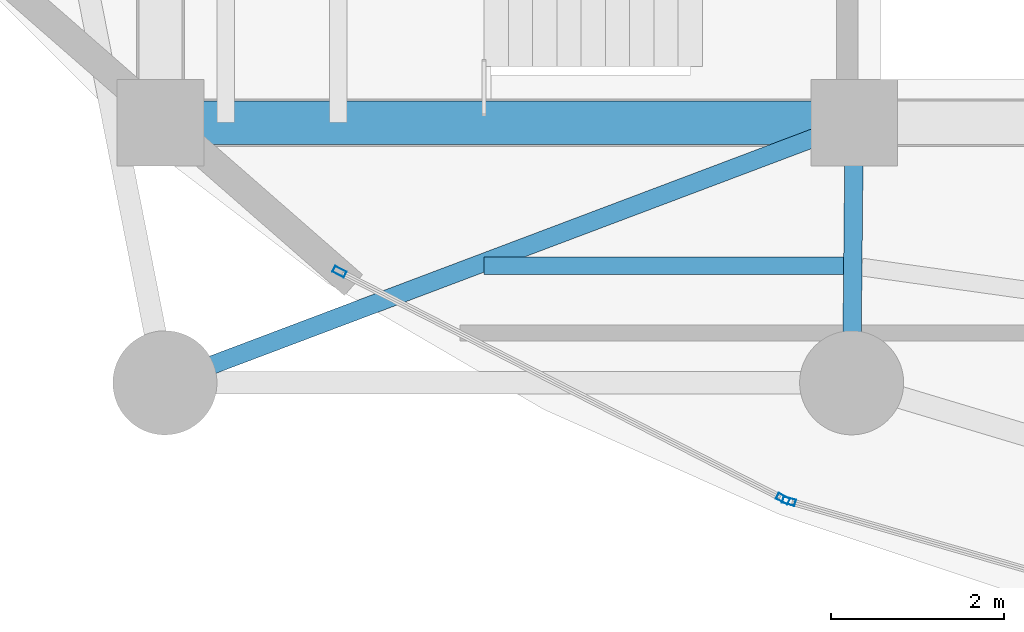
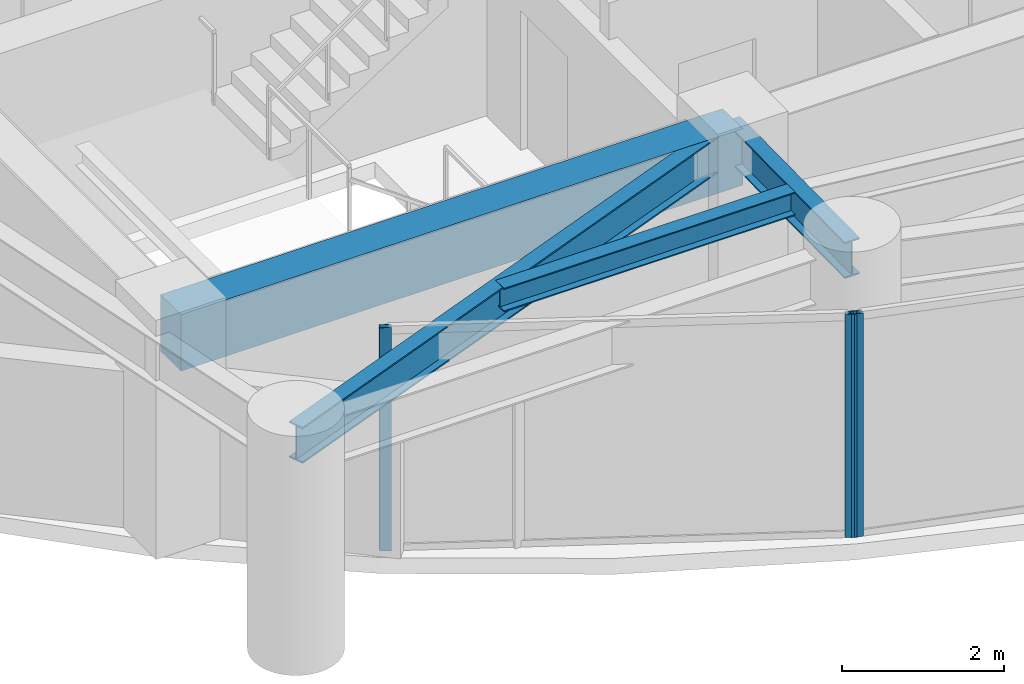
# One storey, part 2 of 31: 4 beams, 3 members, 2 elements without a shape of their own.
"""IFC4 building model written with IfcOpenShell, lengths in metres."""

from ifc_helpers import new_model, si_unit, direction, frame, origin, origin_2d, place, context, subcontext, project, spatial, rectangle, hollow_rectangle, i_section, extrude, material, layer, layer_set, material_profile, profile_set, type_object, element, aggregate, save


model = new_model("IFC4")

# Units and contexts
model_context = context("Model", 3, precision=1e-05, world=origin(), true_north=direction((0.0, 1.0)))
body_context = subcontext(model_context, "Body", "Model", "MODEL_VIEW")
ifc_project = project(units=[si_unit("LENGTHUNIT", "METRE"), si_unit("AREAUNIT", "SQUARE_METRE"), si_unit("VOLUMEUNIT", "CUBIC_METRE"), si_unit("PLANEANGLEUNIT", "RADIAN"), si_unit("MASSUNIT", "GRAM", prefix="KILO")], contexts=[model_context])

# Site, building, storey
site_placement = place(None, origin())
site = spatial("IfcSite", under=ifc_project, at=site_placement, CompositionType="ELEMENT")
building_placement = place(site_placement, origin())
building = spatial("IfcBuilding", under=site, at=building_placement, Name="Kazevale Care Tower and Concert Hall", CompositionType="ELEMENT")
storey_placement = place(building_placement, frame((0.0, 0.0, 117.0)))
storey = spatial("IfcBuildingStorey", under=building, at=storey_placement, Name="L30", CompositionType="ELEMENT", Elevation=117.0)

# Curtain wall, member
ifc_material_1 = material(Name="Aluminium 6063-T6 and Low-E Glass", Category="aluminium")
ifc_layer = layer(ifc_material_1, 0.179931640625)
ifc_layer_set = layer_set([ifc_layer], Name="Aluminium 6063-T6 and Low-E Glass")
curtain_wall_type = type_object("IfcCurtainWallType", Name="Sheltered Concave Balcony Curtain Wall CW-5", PredefinedType="NOTDEFINED", material=ifc_layer_set)
curtain_wall_1_placement = place(storey_placement, origin())
curtain_wall_1 = element("IfcCurtainWall", 1, at=curtain_wall_1_placement, inside=storey, type_object=curtain_wall_type, Name="cw:L30:f08", PredefinedType="NOTDEFINED")
ifc_material_2 = material(Name="Aluminium 6063-T6", Category="aluminium")
ifc_material_profile_1 = material_profile(ifc_material_2, hollow_rectangle(XDim=0.074951171875, YDim=0.14990234375, WallThickness=0.00390625, at=origin_2d()), Name="ALU75x150x4")
ifc_profile_set_1 = profile_set([ifc_material_profile_1], Name="Aluminium 6063-T6")
member_type = type_object("IfcMemberType", Name="CW-5 Mullion ALU75x150x4", PredefinedType="MULLION", material=ifc_profile_set_1)
member_1_placement = place(storey_placement, frame((29.2470703125, 19.234619140625, 0.0), z_axis=(0.0, 0.0, 1.0), x_axis=(-0.276290733172, -0.961074102639, 0.0)))
member_1 = element("IfcMember", 2, at=member_1_placement, type_object=member_type, Name="CW-5 mullion 2", PredefinedType="MULLION", context=body_context, shape_type="SweptSolid", body=[
    extrude(hollow_rectangle(XDim=0.074951171875, YDim=0.14990234375, WallThickness=0.00390625, at=origin_2d()), origin(), (0.0, 0.0, 1.0), 3.360107421875),
])
aggregate(curtain_wall_1, [member_1])

# Curtain wall, members
curtain_wall_2_placement = place(storey_placement, origin())
curtain_wall_2 = element("IfcCurtainWall", 3, at=curtain_wall_2_placement, inside=storey, type_object=curtain_wall_type, Name="cw:L30:f09", PredefinedType="NOTDEFINED")
member_2_placement = place(storey_placement, frame((29.177734375, 19.26220703125, 0.0), z_axis=(0.0, 0.0, 1.0), x_axis=(-0.455713236575, -0.890126646051, 0.0)))
member_2 = element("IfcMember", 4, at=member_2_placement, type_object=member_type, Name="CW-5 mullion 1", PredefinedType="MULLION", context=body_context, shape_type="SweptSolid", body=[
    extrude(hollow_rectangle(XDim=0.074951171875, YDim=0.14990234375, WallThickness=0.00390625, at=origin_2d()), origin(), (0.0, 0.0, 1.0), 3.360107421875),
])
member_3_placement = place(storey_placement, frame((24.0625, 21.880859375, 0.0), z_axis=(0.0, 0.0, 1.0), x_axis=(-0.455713236575, -0.890126646051, 0.0)))
member_3 = element("IfcMember", 5, at=member_3_placement, type_object=member_type, Name="CW-5 mullion 2", PredefinedType="MULLION", context=body_context, shape_type="SweptSolid", body=[
    extrude(hollow_rectangle(XDim=0.074951171875, YDim=0.14990234375, WallThickness=0.00390625, at=origin_2d()), origin(), (0.0, 0.0, 1.0), 3.360107421875),
])
aggregate(curtain_wall_2, [member_2, member_3])

# Beams
ifc_material_3 = material(Name="Concrete C60", Category="concrete")
ifc_material_profile_2 = material_profile(ifc_material_3, rectangle(XDim=0.5, YDim=0.85009765625, at=origin_2d()), Name="RC-B500x850")
ifc_profile_set_2 = profile_set([ifc_material_profile_2], Name="Concrete C60")
beam_type_1 = type_object("IfcBeamType", Name="Core Coupling Beam RC500x850", PredefinedType="LINTEL", material=ifc_profile_set_2)
beam_1_placement = place(storey_placement, frame((22.0, 23.60009765625, 2.93505859375), z_axis=(1.0, 0.0, 0.0), x_axis=(0.0, 1.0, 0.0)))
element("IfcBeam", 6, at=beam_1_placement, inside=storey, type_object=beam_type_1, Name="beam:L30:coretie:1", PredefinedType="LINTEL", context=body_context, shape_type="SweptSolid", body=[
    extrude(rectangle(XDim=0.5, YDim=0.85009765625, at=origin_2d()), origin(), (0.0, 0.0, 1.0), 8.0),
])
ifc_material_4 = material(Name="Steel ASTM A572 Gr 50", Category="steel")
ifc_material_profile_3 = material_profile(ifc_material_4, i_section(OverallWidth=0.2119140625, OverallDepth=0.5439453125, WebThickness=0.01318359375, FlangeThickness=0.021240234375, at=origin_2d()), Name="W530x123")
ifc_profile_set_3 = profile_set([ifc_material_profile_3], Name="Steel ASTM A572 Gr 50")
beam_type_2 = type_object("IfcBeamType", Name="Radial Floor Girder W530x123", PredefinedType="BEAM", material=ifc_profile_set_3)
beam_2_placement = place(storey_placement, frame((30.0, 23.60009765625, 3.087890625), z_axis=(-0.935601002663, -0.353059150592, 0.0), x_axis=(0.353059150592, -0.935601002663, 0.0)))
element("IfcBeam", 7, at=beam_2_placement, inside=storey, type_object=beam_type_2, Name="beam:L30:rad:10", PredefinedType="BEAM", context=body_context, shape_type="SweptSolid", body=[
    extrude(i_section(OverallWidth=0.2119140625, OverallDepth=0.5439453125, WebThickness=0.01318359375, FlangeThickness=0.021240234375, at=origin_2d()), origin(), (0.0, 0.0, 1.0), 8.4970703125),
])
beam_3_placement = place(storey_placement, frame((30.0, 23.60009765625, 3.087890625), z_axis=(-0.010009264196, -0.99994990606, 0.0), x_axis=(0.99994990606, -0.010009264196, 0.0)))
element("IfcBeam", 8, at=beam_3_placement, inside=storey, type_object=beam_type_2, Name="beam:L30:rad:11", PredefinedType="BEAM", context=body_context, shape_type="SweptSolid", body=[
    extrude(i_section(OverallWidth=0.2119140625, OverallDepth=0.5439453125, WebThickness=0.01318359375, FlangeThickness=0.021240234375, at=origin_2d()), origin(), (0.0, 0.0, 1.0), 3.000244140625),
])
ifc_material_profile_4 = material_profile(ifc_material_4, i_section(OverallWidth=0.205078125, OverallDepth=0.35400390625, WebThickness=0.009521484375, FlangeThickness=0.016845703125, at=origin_2d()), Name="W360x79")
ifc_profile_set_4 = profile_set([ifc_material_profile_4], Name="Steel ASTM A572 Gr 50")
beam_type_3 = type_object("IfcBeamType", Name="Secondary Floor Joist W360x79", PredefinedType="JOIST", material=ifc_profile_set_4)
beam_4_placement = place(storey_placement, frame((25.73291015625, 21.949951171875, 3.18310546875), z_axis=(1.0, 0.0, 0.0), x_axis=(0.0, 1.0, 0.0)))
element("IfcBeam", 9, at=beam_4_placement, inside=storey, type_object=beam_type_3, Name="beam:L30:joist:10", PredefinedType="JOIST", context=body_context, shape_type="SweptSolid", body=[
    extrude(i_section(OverallWidth=0.205078125, OverallDepth=0.35400390625, WebThickness=0.009521484375, FlangeThickness=0.016845703125, at=origin_2d()), origin(), (0.0, 0.0, 1.0), 4.14501953125),
])

save(model, "model.ifc")
